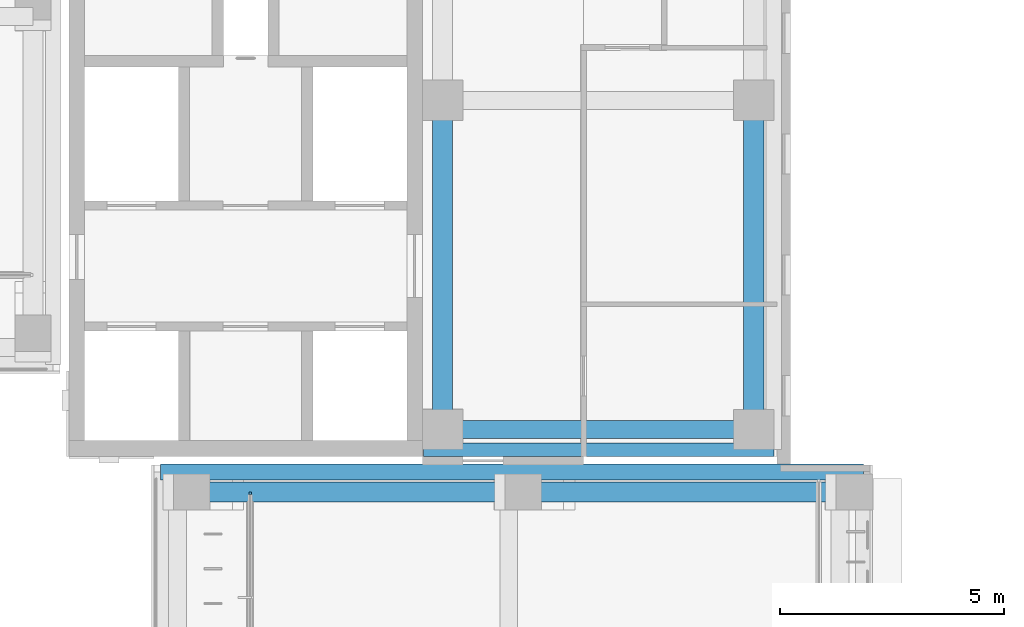
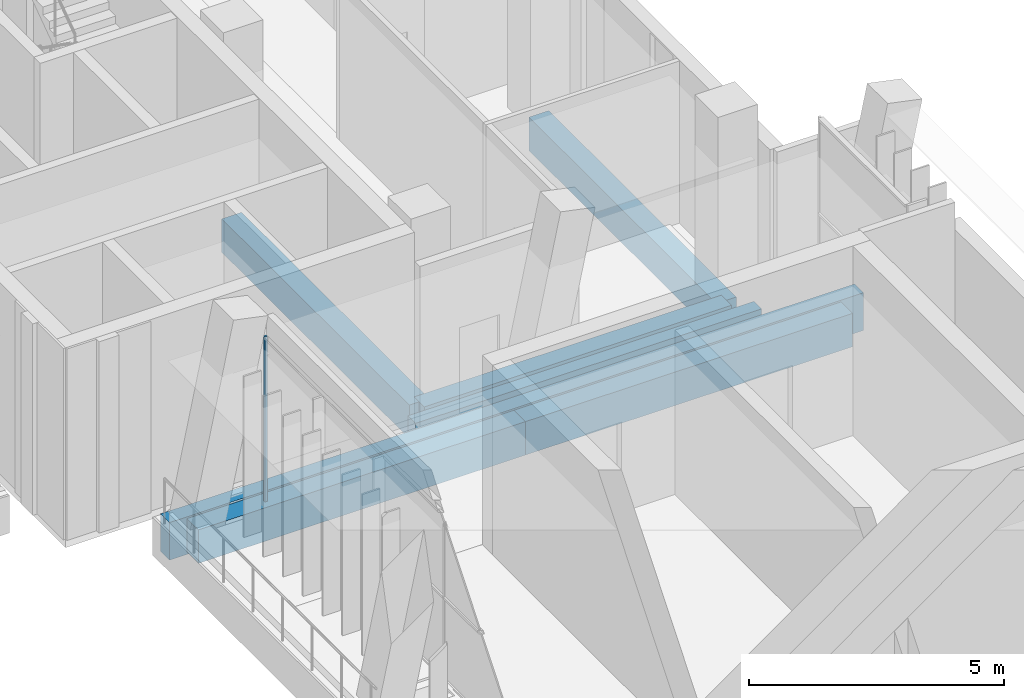
# One storey, part 84 of 141: 7 beams, 1 member, 1 element without a shape of its own.
"""IFC4 building model written with IfcOpenShell, lengths in metres."""

from ifc_helpers import new_model, si_unit, direction, frame, origin, origin_2d, place, context, subcontext, project, spatial, rectangle, extrude, material, material_profile, profile_set, type_object, element, aggregate, save


model = new_model("IFC4")

# Units and contexts
model_context = context("Model", 3, precision=1e-05, world=origin(), true_north=direction((0.0, 1.0)))
body_context = subcontext(model_context, "Body", "Model", "MODEL_VIEW")
ifc_project = project(units=[si_unit("LENGTHUNIT", "METRE"), si_unit("AREAUNIT", "SQUARE_METRE"), si_unit("VOLUMEUNIT", "CUBIC_METRE"), si_unit("PLANEANGLEUNIT", "RADIAN"), si_unit("MASSUNIT", "GRAM", prefix="KILO")], contexts=[model_context])

# Site, building, storey
site_placement = place(None, origin())
site = spatial("IfcSite", under=ifc_project, at=site_placement, CompositionType="ELEMENT")
building_placement = place(site_placement, origin())
building = spatial("IfcBuilding", under=site, at=building_placement, Name="Lantern Court Media Centre", CompositionType="ELEMENT")
storey_placement = place(building_placement, frame((0.0, 0.0, 9.60009765625)))
storey = spatial("IfcBuildingStorey", under=building, at=storey_placement, Name="L02", CompositionType="ELEMENT", Elevation=9.60009765625)

# Curtain wall, member
ifc_material_1 = material(Name="Curtain wall bay 2400")
curtain_wall_type = type_object("IfcCurtainWallType", Name="Curtain wall bay 2400", PredefinedType="NOTDEFINED", material=ifc_material_1)
curtain_wall_placement = place(storey_placement, origin())
curtain_wall = element("IfcCurtainWall", 1, at=curtain_wall_placement, inside=storey, type_object=curtain_wall_type, Name="Curtain wall E inner L02", PredefinedType="NOTDEFINED")
ifc_material_2 = material(Name="Anodised aluminium", Category="aluminium")
ifc_material_profile_1 = material_profile(ifc_material_2, rectangle(XDim=0.06005859375, YDim=0.050048828125, at=origin_2d()), Name="AL 50x60")
ifc_profile_set_1 = profile_set([ifc_material_profile_1], Name="Anodised aluminium")
member_type = type_object("IfcMemberType", Name="Curtain wall mullion 50x60", PredefinedType="MULLION", material=ifc_profile_set_1)
member_placement = place(storey_placement, frame((84.14990234375, 95.27490234375, 0.0), z_axis=(0.0, 0.0, 1.0), x_axis=(-1.0, 0.0, 0.0)))
member = element("IfcMember", 2, at=member_placement, type_object=member_type, Name="CW2 mullion 14", PredefinedType="MULLION", context=body_context, shape_type="SweptSolid", body=[
    extrude(rectangle(XDim=0.06005859375, YDim=0.050048828125, at=origin_2d()), origin(), (0.0, 0.0, 1.0), 3.949951171875),
])
aggregate(curtain_wall, [member])

# Beams
ifc_material_3 = material(Name="Concrete C35", Category="concrete")
ifc_material_profile_2 = material_profile(ifc_material_3, rectangle(XDim=0.300048828125, YDim=0.89990234375, at=origin_2d()), Name="RC 300x900")
ifc_profile_set_2 = profile_set([ifc_material_profile_2], Name="Concrete C35")
beam_type_1 = type_object("IfcBeamType", Name="RC BEAM 300x900", PredefinedType="BEAM", material=ifc_profile_set_2)
beam_1_placement = place(storey_placement, frame((88.02001953125, 96.25, -0.4501953125), z_axis=(1.0, 0.0, 0.0), x_axis=(0.0, 1.0, 0.0)))
element("IfcBeam", 3, at=beam_1_placement, inside=storey, type_object=beam_type_1, Name="EB-NE-L02-S", PredefinedType="BEAM", context=body_context, shape_type="SweptSolid", body=[
    extrude(rectangle(XDim=0.300048828125, YDim=0.89990234375, at=origin_2d()), origin(), (0.0, 0.0, 1.0), 7.830078125),
])
ifc_material_profile_3 = material_profile(ifc_material_3, rectangle(XDim=0.35009765625, YDim=0.89990234375, at=origin_2d()), Name="RC 350x900")
ifc_profile_set_3 = profile_set([ifc_material_profile_3], Name="Concrete C35")
beam_type_2 = type_object("IfcBeamType", Name="RC BEAM 350x900", PredefinedType="BEAM", material=ifc_profile_set_3)
beam_2_placement = place(storey_placement, frame((82.14990234375, 95.75, -0.4501953125), z_axis=(1.0, 0.0, 0.0), x_axis=(0.0, 1.0, 0.0)))
element("IfcBeam", 4, at=beam_2_placement, inside=storey, type_object=beam_type_2, Name="EB-E-L02-D", PredefinedType="BEAM", context=body_context, shape_type="SweptSolid", body=[
    extrude(rectangle(XDim=0.35009765625, YDim=0.89990234375, at=origin_2d()), origin(), (0.0, 0.0, 1.0), 15.7001953125),
])
ifc_material_profile_4 = material_profile(ifc_material_3, rectangle(XDim=0.39990234375, YDim=0.800048828125, at=origin_2d()), Name="RC 400x800")
ifc_profile_set_4 = profile_set([ifc_material_profile_4], Name="Concrete C35")
beam_type_3 = type_object("IfcBeamType", Name="RC BEAM 400x800", PredefinedType="BEAM", material=ifc_profile_set_4)
beam_3_placement = place(storey_placement, frame((88.449951171875, 96.699951171875, -0.400146484375), z_axis=(1.0, 0.0, 0.0), x_axis=(0.0, 1.0, 0.0)))
element("IfcBeam", 5, at=beam_3_placement, inside=storey, type_object=beam_type_3, Name="BB-NE-L02-Y0-96", PredefinedType="BEAM", context=body_context, shape_type="SweptSolid", body=[
    extrude(rectangle(XDim=0.39990234375, YDim=0.800048828125, at=origin_2d()), origin(), (0.0, 0.0, 1.0), 6.949951171875),
])
ifc_material_profile_5 = material_profile(ifc_material_3, rectangle(XDim=0.449951171875, YDim=0.800048828125, at=origin_2d()), Name="RC 450x800")
ifc_profile_set_5 = profile_set([ifc_material_profile_5], Name="Concrete C35")
beam_type_4 = type_object("IfcBeamType", Name="RC BEAM 450x800", PredefinedType="BEAM", material=ifc_profile_set_5)
for number, where, z_axis, x_axis, name in (
    (6, (88.449951171875, 96.699951171875, -0.400146484375), (0.0, 1.0, 0.0), (-1.0, 0.0, 0.0), "BB-NE-L02-X0-88"),
    (7, (95.39990234375, 96.699951171875, -0.400146484375), (0.0, 1.0, 0.0), (-1.0, 0.0, 0.0), "BB-NE-L02-X0-95"),
):
    element("IfcBeam", number, at=place(storey_placement, frame(where, z_axis=z_axis, x_axis=x_axis)), inside=storey, type_object=beam_type_4, Name=name, PredefinedType="BEAM", context=body_context, shape_type="SweptSolid", body=[
        extrude(rectangle(XDim=0.449951171875, YDim=0.800048828125, at=origin_2d()), origin(), (0.0, 0.0, 1.0), 7.35009765625),
    ])
beam_4_placement = place(storey_placement, frame((82.5166015625, 95.300048828125, -0.400146484375), z_axis=(1.0, 0.0, 0.0), x_axis=(0.0, 1.0, 0.0)))
element("IfcBeam", 8, at=beam_4_placement, inside=storey, type_object=beam_type_4, Name="TB-E-L02-4-1", PredefinedType="BEAM", context=body_context, shape_type="SweptSolid", body=[
    extrude(rectangle(XDim=0.449951171875, YDim=0.800048828125, at=origin_2d()), origin(), (0.0, 0.0, 1.0), 7.400146484375),
])
beam_5_placement = place(storey_placement, frame((89.916748046875, 95.300048828125, -0.400146484375), z_axis=(1.0, 0.0, 0.0), x_axis=(0.0, 1.0, 0.0)))
element("IfcBeam", 9, at=beam_5_placement, inside=storey, type_object=beam_type_4, Name="TB-E-L02-4-2", PredefinedType="BEAM", context=body_context, shape_type="SweptSolid", body=[
    extrude(rectangle(XDim=0.449951171875, YDim=0.800048828125, at=origin_2d()), origin(), (0.0, 0.0, 1.0), 7.39990234375),
])

save(model, "model.ifc")
